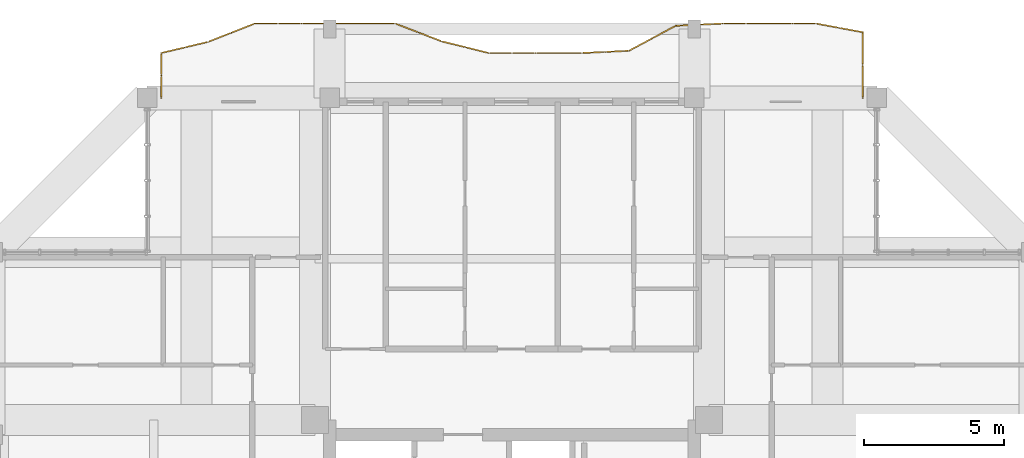
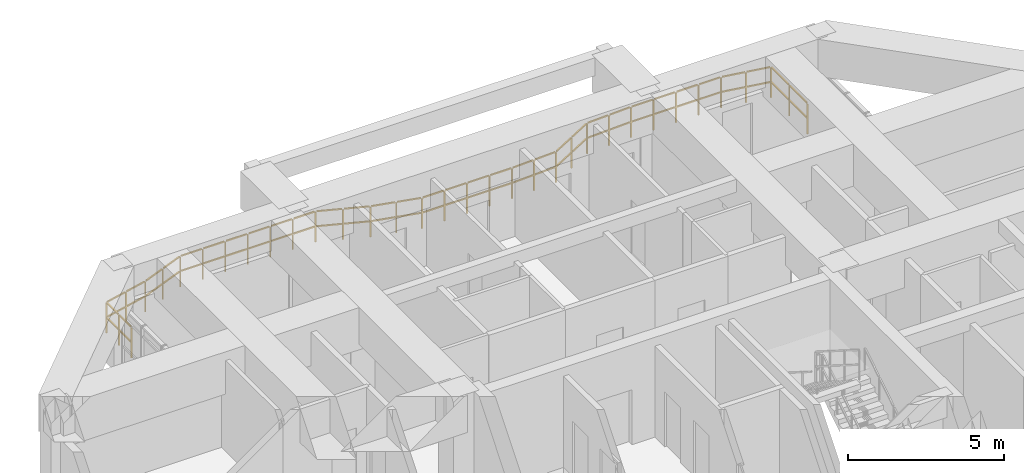
# One storey, part 22 of 22: 1 railing.
"""IFC4 building model written with IfcOpenShell, lengths in metres."""

from ifc_helpers import new_model, si_unit, direction, frame, origin, origin_2d, place, context, subcontext, project, spatial, rectangle, extrude, material, type_object, element, save


model = new_model("IFC4")

# Units and contexts
model_context = context("Model", 3, precision=1e-05, world=origin(), true_north=direction((0.0, 1.0)))
body_context = subcontext(model_context, "Body", "Model", "MODEL_VIEW")
ifc_project = project(units=[si_unit("LENGTHUNIT", "METRE"), si_unit("AREAUNIT", "SQUARE_METRE"), si_unit("VOLUMEUNIT", "CUBIC_METRE"), si_unit("PLANEANGLEUNIT", "RADIAN"), si_unit("MASSUNIT", "GRAM", prefix="KILO")], contexts=[model_context])

# Site, building, storey
site_placement = place(None, origin())
site = spatial("IfcSite", under=ifc_project, at=site_placement, CompositionType="ELEMENT")
building_placement = place(site_placement, origin())
building = spatial("IfcBuilding", under=site, at=building_placement, Name="Saelheon Loggia Tower", CompositionType="ELEMENT")
storey_placement = place(building_placement, frame((0.0, 0.0, 216.300048828125)))
storey = spatial("IfcBuildingStorey", under=building, at=storey_placement, Name="L67", CompositionType="ELEMENT", Elevation=216.300048828125)

# Railing
ifc_material = material(Name="Architectural Precast Concrete and Laminated Glass Guard", Category="concrete")
railing_type = type_object("IfcRailingType", Name="Guard_Loggia_RL_LOG", PredefinedType="BALUSTRADE", material=ifc_material)
railing_placement = place(storey_placement, frame((50.5, 48.0, 0.0)))
element("IfcRailing", 1, at=railing_placement, inside=storey, type_object=railing_type, Name="L67 North Loggia Balustrade", PredefinedType="BALUSTRADE", context=body_context, shape_type="SweptSolid", body=[
    extrude(rectangle(XDim=0.048095703125, YDim=0.048095703125, at=origin_2d()), frame((0.0, 0.033203125, 1.19580078125), z_axis=(0.0, 1.0, 0.0), x_axis=(-1.0, 0.0, 0.0)), (0.0, 0.0, 1.0), 1.103271484375),
    extrude(rectangle(XDim=0.048095703125, YDim=0.048095703125, at=origin_2d()), frame((0.0, 0.033203125, 0.60986328125), z_axis=(0.0, 1.0, 0.0), x_axis=(-1.0, 0.0, 0.0)), (0.0, 0.0, 1.0), 1.103271484375),
    extrude(rectangle(XDim=0.048095703125, YDim=0.048095703125, at=origin_2d()), frame((0.0, 1.203125, 1.19580078125), z_axis=(0.0, 1.0, 0.0), x_axis=(-1.0, 0.0, 0.0)), (0.0, 0.0, 1.0), 1.103271484375),
    extrude(rectangle(XDim=0.048095703125, YDim=0.048095703125, at=origin_2d()), frame((0.0, 1.203125, 0.60986328125), z_axis=(0.0, 1.0, 0.0), x_axis=(-1.0, 0.0, 0.0)), (0.0, 0.0, 1.0), 1.103271484375),
    extrude(rectangle(XDim=0.048095703125, YDim=0.048095703125, at=origin_2d()), frame((-0.03271484375, 2.345703125, 1.19580078125), z_axis=(-0.983107760507, 0.183027678864, 0.0), x_axis=(-0.183027678864, -0.983107760507, 0.0)), (0.0, 0.0, 1.0), 0.78125),
    extrude(rectangle(XDim=0.048095703125, YDim=0.048095703125, at=origin_2d()), frame((-0.03271484375, 2.345703125, 0.60986328125), z_axis=(-0.983107760507, 0.183027678864, 0.0), x_axis=(-0.183027678864, -0.983107760507, 0.0)), (0.0, 0.0, 1.0), 0.78125),
    extrude(rectangle(XDim=0.048095703125, YDim=0.048095703125, at=origin_2d()), frame((-0.865966796875, 2.500732421875, 1.19580078125), z_axis=(-0.983107760507, 0.183027678864, 0.0), x_axis=(-0.183027678864, -0.983107760507, 0.0)), (0.0, 0.0, 1.0), 0.78125),
    extrude(rectangle(XDim=0.048095703125, YDim=0.048095703125, at=origin_2d()), frame((-0.865966796875, 2.500732421875, 0.60986328125), z_axis=(-0.983107760507, 0.183027678864, 0.0), x_axis=(-0.183027678864, -0.983107760507, 0.0)), (0.0, 0.0, 1.0), 0.78125),
    extrude(rectangle(XDim=0.048095703125, YDim=0.048095703125, at=origin_2d()), frame((-1.699951171875, 2.64990234375, 1.19580078125), z_axis=(-1.0, 0.0, 0.0), x_axis=(0.0, -1.0, 0.0)), (0.0, 0.0, 1.0), 0.766845703125),
    extrude(rectangle(XDim=0.048095703125, YDim=0.048095703125, at=origin_2d()), frame((-1.699951171875, 2.64990234375, 0.60986328125), z_axis=(-1.0, 0.0, 0.0), x_axis=(0.0, -1.0, 0.0)), (0.0, 0.0, 1.0), 0.766845703125),
    extrude(rectangle(XDim=0.048095703125, YDim=0.048095703125, at=origin_2d()), frame((-2.533203125, 2.64990234375, 1.19580078125), z_axis=(-1.0, 0.0, 0.0), x_axis=(0.0, -1.0, 0.0)), (0.0, 0.0, 1.0), 0.766845703125),
    extrude(rectangle(XDim=0.048095703125, YDim=0.048095703125, at=origin_2d()), frame((-2.533203125, 2.64990234375, 0.60986328125), z_axis=(-1.0, 0.0, 0.0), x_axis=(0.0, -1.0, 0.0)), (0.0, 0.0, 1.0), 0.766845703125),
    extrude(rectangle(XDim=0.048095703125, YDim=0.048095703125, at=origin_2d()), frame((-3.366455078125, 2.64990234375, 1.19580078125), z_axis=(-1.0, 0.0, 0.0), x_axis=(0.0, -1.0, 0.0)), (0.0, 0.0, 1.0), 0.766845703125),
    extrude(rectangle(XDim=0.048095703125, YDim=0.048095703125, at=origin_2d()), frame((-3.366455078125, 2.64990234375, 0.60986328125), z_axis=(-1.0, 0.0, 0.0), x_axis=(0.0, -1.0, 0.0)), (0.0, 0.0, 1.0), 0.766845703125),
    extrude(rectangle(XDim=0.048095703125, YDim=0.048095703125, at=origin_2d()), frame((-4.199951171875, 2.64990234375, 1.19580078125), z_axis=(-1.0, 0.0, 0.0), x_axis=(0.0, -1.0, 0.0)), (0.0, 0.0, 1.0), 0.766845703125),
    extrude(rectangle(XDim=0.048095703125, YDim=0.048095703125, at=origin_2d()), frame((-4.199951171875, 2.64990234375, 0.60986328125), z_axis=(-1.0, 0.0, 0.0), x_axis=(0.0, -1.0, 0.0)), (0.0, 0.0, 1.0), 0.766845703125),
    extrude(rectangle(XDim=0.048095703125, YDim=0.048095703125, at=origin_2d()), frame((-5.033203125, 2.648193359375, 1.19580078125), z_axis=(-0.998819633443, -0.048573036224, 0.0), x_axis=(0.048573036224, -0.998819633443, 0.0)), (0.0, 0.0, 1.0), 0.767822265625),
    extrude(rectangle(XDim=0.048095703125, YDim=0.048095703125, at=origin_2d()), frame((-5.033203125, 2.648193359375, 0.60986328125), z_axis=(-0.998819633443, -0.048573036224, 0.0), x_axis=(0.048573036224, -0.998819633443, 0.0)), (0.0, 0.0, 1.0), 0.767822265625),
    extrude(rectangle(XDim=0.048095703125, YDim=0.048095703125, at=origin_2d()), frame((-5.866455078125, 2.607666015625, 1.19580078125), z_axis=(-0.998819633443, -0.048573036224, 0.0), x_axis=(0.048573036224, -0.998819633443, 0.0)), (0.0, 0.0, 1.0), 0.767822265625),
    extrude(rectangle(XDim=0.048095703125, YDim=0.048095703125, at=origin_2d()), frame((-5.866455078125, 2.607666015625, 0.60986328125), z_axis=(-0.998819633443, -0.048573036224, 0.0), x_axis=(0.048573036224, -0.998819633443, 0.0)), (0.0, 0.0, 1.0), 0.767822265625),
    extrude(rectangle(XDim=0.048095703125, YDim=0.048095703125, at=origin_2d()), frame((-6.696044921875, 2.55322265625, 1.19580078125), z_axis=(-0.882274214807, -0.47073581751, 0.0), x_axis=(0.47073581751, -0.882274214807, 0.0)), (0.0, 0.0, 1.0), 0.8779296875),
    extrude(rectangle(XDim=0.048095703125, YDim=0.048095703125, at=origin_2d()), frame((-6.696044921875, 2.55322265625, 0.60986328125), z_axis=(-0.882274214807, -0.47073581751, 0.0), x_axis=(0.47073581751, -0.882274214807, 0.0)), (0.0, 0.0, 1.0), 0.8779296875),
    extrude(rectangle(XDim=0.048095703125, YDim=0.048095703125, at=origin_2d()), frame((-7.529296875, 2.108642578125, 1.19580078125), z_axis=(-0.882274214807, -0.47073581751, 0.0), x_axis=(0.47073581751, -0.882274214807, 0.0)), (0.0, 0.0, 1.0), 0.8779296875),
    extrude(rectangle(XDim=0.048095703125, YDim=0.048095703125, at=origin_2d()), frame((-7.529296875, 2.108642578125, 0.60986328125), z_axis=(-0.882274214807, -0.47073581751, 0.0), x_axis=(0.47073581751, -0.882274214807, 0.0)), (0.0, 0.0, 1.0), 0.8779296875),
    extrude(rectangle(XDim=0.048095703125, YDim=0.048095703125, at=origin_2d()), frame((-8.366455078125, 1.67822265625, 1.19580078125), z_axis=(-0.998861839627, -0.04769722568, 0.0), x_axis=(0.04769722568, -0.998861839627, 0.0)), (0.0, 0.0, 1.0), 0.767822265625),
    extrude(rectangle(XDim=0.048095703125, YDim=0.048095703125, at=origin_2d()), frame((-8.366455078125, 1.67822265625, 0.60986328125), z_axis=(-0.998861839627, -0.04769722568, 0.0), x_axis=(0.04769722568, -0.998861839627, 0.0)), (0.0, 0.0, 1.0), 0.767822265625),
    extrude(rectangle(XDim=0.048095703125, YDim=0.048095703125, at=origin_2d()), frame((-9.19970703125, 1.638427734375, 1.19580078125), z_axis=(-0.998861839627, -0.04769722568, 0.0), x_axis=(0.04769722568, -0.998861839627, 0.0)), (0.0, 0.0, 1.0), 0.767822265625),
    extrude(rectangle(XDim=0.048095703125, YDim=0.048095703125, at=origin_2d()), frame((-9.19970703125, 1.638427734375, 0.60986328125), z_axis=(-0.998861839627, -0.04769722568, 0.0), x_axis=(0.04769722568, -0.998861839627, 0.0)), (0.0, 0.0, 1.0), 0.767822265625),
    extrude(rectangle(XDim=0.048095703125, YDim=0.048095703125, at=origin_2d()), frame((-10.033203125, 1.60009765625, 1.19580078125), z_axis=(-1.0, 0.0, 0.0), x_axis=(0.0, -1.0, 0.0)), (0.0, 0.0, 1.0), 0.766845703125),
    extrude(rectangle(XDim=0.048095703125, YDim=0.048095703125, at=origin_2d()), frame((-10.033203125, 1.60009765625, 0.60986328125), z_axis=(-1.0, 0.0, 0.0), x_axis=(0.0, -1.0, 0.0)), (0.0, 0.0, 1.0), 0.766845703125),
    extrude(rectangle(XDim=0.048095703125, YDim=0.048095703125, at=origin_2d()), frame((-10.86669921875, 1.60009765625, 1.19580078125), z_axis=(-1.0, 0.0, 0.0), x_axis=(0.0, -1.0, 0.0)), (0.0, 0.0, 1.0), 0.766845703125),
    extrude(rectangle(XDim=0.048095703125, YDim=0.048095703125, at=origin_2d()), frame((-10.86669921875, 1.60009765625, 0.60986328125), z_axis=(-1.0, 0.0, 0.0), x_axis=(0.0, -1.0, 0.0)), (0.0, 0.0, 1.0), 0.766845703125),
    extrude(rectangle(XDim=0.048095703125, YDim=0.048095703125, at=origin_2d()), frame((-11.699951171875, 1.60009765625, 1.19580078125), z_axis=(-1.0, 0.0, 0.0), x_axis=(0.0, -1.0, 0.0)), (0.0, 0.0, 1.0), 0.766845703125),
    extrude(rectangle(XDim=0.048095703125, YDim=0.048095703125, at=origin_2d()), frame((-11.699951171875, 1.60009765625, 0.60986328125), z_axis=(-1.0, 0.0, 0.0), x_axis=(0.0, -1.0, 0.0)), (0.0, 0.0, 1.0), 0.766845703125),
    extrude(rectangle(XDim=0.048095703125, YDim=0.048095703125, at=origin_2d()), frame((-12.533203125, 1.60009765625, 1.19580078125), z_axis=(-1.0, 0.0, 0.0), x_axis=(0.0, -1.0, 0.0)), (0.0, 0.0, 1.0), 0.766845703125),
    extrude(rectangle(XDim=0.048095703125, YDim=0.048095703125, at=origin_2d()), frame((-12.533203125, 1.60009765625, 0.60986328125), z_axis=(-1.0, 0.0, 0.0), x_axis=(0.0, -1.0, 0.0)), (0.0, 0.0, 1.0), 0.766845703125),
    extrude(rectangle(XDim=0.048095703125, YDim=0.048095703125, at=origin_2d()), frame((-13.365478515625, 1.608154296875, 1.19580078125), z_axis=(-0.970467735246, 0.241230957479, 0.0), x_axis=(-0.241230957479, -0.970467735246, 0.0)), (0.0, 0.0, 1.0), 0.792236328125),
    extrude(rectangle(XDim=0.048095703125, YDim=0.048095703125, at=origin_2d()), frame((-13.365478515625, 1.608154296875, 0.60986328125), z_axis=(-0.970467735246, 0.241230957479, 0.0), x_axis=(-0.241230957479, -0.970467735246, 0.0)), (0.0, 0.0, 1.0), 0.792236328125),
    extrude(rectangle(XDim=0.048095703125, YDim=0.048095703125, at=origin_2d()), frame((-14.198974609375, 1.815185546875, 1.19580078125), z_axis=(-0.970467735246, 0.241230957479, 0.0), x_axis=(-0.241230957479, -0.970467735246, 0.0)), (0.0, 0.0, 1.0), 0.792236328125),
    extrude(rectangle(XDim=0.048095703125, YDim=0.048095703125, at=origin_2d()), frame((-14.198974609375, 1.815185546875, 0.60986328125), z_axis=(-0.970467735246, 0.241230957479, 0.0), x_axis=(-0.241230957479, -0.970467735246, 0.0)), (0.0, 0.0, 1.0), 0.792236328125),
    extrude(rectangle(XDim=0.048095703125, YDim=0.048095703125, at=origin_2d()), frame((-15.031005859375, 2.026123046875, 1.19580078125), z_axis=(-0.934385792277, 0.356262811967, 0.0), x_axis=(-0.356262811967, -0.934385792277, 0.0)), (0.0, 0.0, 1.0), 0.825439453125),
    extrude(rectangle(XDim=0.048095703125, YDim=0.048095703125, at=origin_2d()), frame((-15.031005859375, 2.026123046875, 0.60986328125), z_axis=(-0.934385792277, 0.356262811967, 0.0), x_axis=(-0.356262811967, -0.934385792277, 0.0)), (0.0, 0.0, 1.0), 0.825439453125),
    extrude(rectangle(XDim=0.048095703125, YDim=0.048095703125, at=origin_2d()), frame((-15.864501953125, 2.343994140625, 1.19580078125), z_axis=(-0.934385792277, 0.356262811967, 0.0), x_axis=(-0.356262811967, -0.934385792277, 0.0)), (0.0, 0.0, 1.0), 0.825439453125),
    extrude(rectangle(XDim=0.048095703125, YDim=0.048095703125, at=origin_2d()), frame((-15.864501953125, 2.343994140625, 0.60986328125), z_axis=(-0.934385792277, 0.356262811967, 0.0), x_axis=(-0.356262811967, -0.934385792277, 0.0)), (0.0, 0.0, 1.0), 0.825439453125),
    extrude(rectangle(XDim=0.048095703125, YDim=0.048095703125, at=origin_2d()), frame((-16.699951171875, 2.64990234375, 1.19580078125), z_axis=(-1.0, 0.0, 0.0), x_axis=(0.0, -1.0, 0.0)), (0.0, 0.0, 1.0), 0.766845703125),
    extrude(rectangle(XDim=0.048095703125, YDim=0.048095703125, at=origin_2d()), frame((-16.699951171875, 2.64990234375, 0.60986328125), z_axis=(-1.0, 0.0, 0.0), x_axis=(0.0, -1.0, 0.0)), (0.0, 0.0, 1.0), 0.766845703125),
    extrude(rectangle(XDim=0.048095703125, YDim=0.048095703125, at=origin_2d()), frame((-17.533203125, 2.64990234375, 1.19580078125), z_axis=(-1.0, 0.0, 0.0), x_axis=(0.0, -1.0, 0.0)), (0.0, 0.0, 1.0), 0.766845703125),
    extrude(rectangle(XDim=0.048095703125, YDim=0.048095703125, at=origin_2d()), frame((-17.533203125, 2.64990234375, 0.60986328125), z_axis=(-1.0, 0.0, 0.0), x_axis=(0.0, -1.0, 0.0)), (0.0, 0.0, 1.0), 0.766845703125),
    extrude(rectangle(XDim=0.048095703125, YDim=0.048095703125, at=origin_2d()), frame((-18.366455078125, 2.64990234375, 1.19580078125), z_axis=(-1.0, 0.0, 0.0), x_axis=(0.0, -1.0, 0.0)), (0.0, 0.0, 1.0), 0.766845703125),
    extrude(rectangle(XDim=0.048095703125, YDim=0.048095703125, at=origin_2d()), frame((-18.366455078125, 2.64990234375, 0.60986328125), z_axis=(-1.0, 0.0, 0.0), x_axis=(0.0, -1.0, 0.0)), (0.0, 0.0, 1.0), 0.766845703125),
    extrude(rectangle(XDim=0.048095703125, YDim=0.048095703125, at=origin_2d()), frame((-19.199951171875, 2.64990234375, 1.19580078125), z_axis=(-1.0, 0.0, 0.0), x_axis=(0.0, -1.0, 0.0)), (0.0, 0.0, 1.0), 0.766845703125),
    extrude(rectangle(XDim=0.048095703125, YDim=0.048095703125, at=origin_2d()), frame((-19.199951171875, 2.64990234375, 0.60986328125), z_axis=(-1.0, 0.0, 0.0), x_axis=(0.0, -1.0, 0.0)), (0.0, 0.0, 1.0), 0.766845703125),
    extrude(rectangle(XDim=0.048095703125, YDim=0.048095703125, at=origin_2d()), frame((-20.033203125, 2.64990234375, 1.19580078125), z_axis=(-1.0, 0.0, 0.0), x_axis=(0.0, -1.0, 0.0)), (0.0, 0.0, 1.0), 0.766845703125),
    extrude(rectangle(XDim=0.048095703125, YDim=0.048095703125, at=origin_2d()), frame((-20.033203125, 2.64990234375, 0.60986328125), z_axis=(-1.0, 0.0, 0.0), x_axis=(0.0, -1.0, 0.0)), (0.0, 0.0, 1.0), 0.766845703125),
    extrude(rectangle(XDim=0.048095703125, YDim=0.048095703125, at=origin_2d()), frame((-20.86669921875, 2.64990234375, 1.19580078125), z_axis=(-1.0, 0.0, 0.0), x_axis=(0.0, -1.0, 0.0)), (0.0, 0.0, 1.0), 0.766845703125),
    extrude(rectangle(XDim=0.048095703125, YDim=0.048095703125, at=origin_2d()), frame((-20.86669921875, 2.64990234375, 0.60986328125), z_axis=(-1.0, 0.0, 0.0), x_axis=(0.0, -1.0, 0.0)), (0.0, 0.0, 1.0), 0.766845703125),
    extrude(rectangle(XDim=0.048095703125, YDim=0.048095703125, at=origin_2d()), frame((-21.69775390625, 2.6376953125, 1.19580078125), z_axis=(-0.930966835814, -0.365103753219, 0.0), x_axis=(0.365103753219, -0.930966835814, 0.0)), (0.0, 0.0, 1.0), 0.82861328125),
    extrude(rectangle(XDim=0.048095703125, YDim=0.048095703125, at=origin_2d()), frame((-21.69775390625, 2.6376953125, 0.60986328125), z_axis=(-0.930966835814, -0.365103753219, 0.0), x_axis=(0.365103753219, -0.930966835814, 0.0)), (0.0, 0.0, 1.0), 0.82861328125),
    extrude(rectangle(XDim=0.048095703125, YDim=0.048095703125, at=origin_2d()), frame((-22.531005859375, 2.31103515625, 1.19580078125), z_axis=(-0.930966835814, -0.365103753219, 0.0), x_axis=(0.365103753219, -0.930966835814, 0.0)), (0.0, 0.0, 1.0), 0.82861328125),
    extrude(rectangle(XDim=0.048095703125, YDim=0.048095703125, at=origin_2d()), frame((-22.531005859375, 2.31103515625, 0.60986328125), z_axis=(-0.930966835814, -0.365103753219, 0.0), x_axis=(0.365103753219, -0.930966835814, 0.0)), (0.0, 0.0, 1.0), 0.82861328125),
    extrude(rectangle(XDim=0.048095703125, YDim=0.048095703125, at=origin_2d()), frame((-23.365478515625, 1.98876953125, 1.19580078125), z_axis=(-0.972885666926, -0.23128657352, 0.0), x_axis=(0.23128657352, -0.972885666926, 0.0)), (0.0, 0.0, 1.0), 0.7900390625),
    extrude(rectangle(XDim=0.048095703125, YDim=0.048095703125, at=origin_2d()), frame((-23.365478515625, 1.98876953125, 0.60986328125), z_axis=(-0.972885666926, -0.23128657352, 0.0), x_axis=(0.23128657352, -0.972885666926, 0.0)), (0.0, 0.0, 1.0), 0.7900390625),
    extrude(rectangle(XDim=0.048095703125, YDim=0.048095703125, at=origin_2d()), frame((-24.198974609375, 1.79052734375, 1.19580078125), z_axis=(-0.972885666926, -0.23128657352, 0.0), x_axis=(0.23128657352, -0.972885666926, 0.0)), (0.0, 0.0, 1.0), 0.7900390625),
    extrude(rectangle(XDim=0.048095703125, YDim=0.048095703125, at=origin_2d()), frame((-24.198974609375, 1.79052734375, 0.60986328125), z_axis=(-0.972885666926, -0.23128657352, 0.0), x_axis=(0.23128657352, -0.972885666926, 0.0)), (0.0, 0.0, 1.0), 0.7900390625),
    extrude(rectangle(XDim=0.048095703125, YDim=0.048095703125, at=origin_2d()), frame((-25.0, 1.56689453125, 1.19580078125), z_axis=(0.0, -1.0, 0.0), x_axis=(1.0, 0.0, 0.0)), (0.0, 0.0, 1.0), 0.733642578125),
    extrude(rectangle(XDim=0.048095703125, YDim=0.048095703125, at=origin_2d()), frame((-25.0, 1.56689453125, 0.60986328125), z_axis=(0.0, -1.0, 0.0), x_axis=(1.0, 0.0, 0.0)), (0.0, 0.0, 1.0), 0.733642578125),
    extrude(rectangle(XDim=0.048095703125, YDim=0.048095703125, at=origin_2d()), frame((-25.0, 0.766845703125, 1.19580078125), z_axis=(0.0, -1.0, 0.0), x_axis=(1.0, 0.0, 0.0)), (0.0, 0.0, 1.0), 0.733642578125),
    extrude(rectangle(XDim=0.048095703125, YDim=0.048095703125, at=origin_2d()), frame((-25.0, 0.766845703125, 0.60986328125), z_axis=(0.0, -1.0, 0.0), x_axis=(1.0, 0.0, 0.0)), (0.0, 0.0, 1.0), 0.733642578125),
    extrude(rectangle(XDim=0.0419921875, YDim=0.0419921875, at=origin_2d()), origin(), (0.0, 0.0, 1.0), 1.16796875),
    extrude(rectangle(XDim=0.0419921875, YDim=0.0419921875, at=origin_2d()), frame((0.0, 1.169921875, 0.0)), (0.0, 0.0, 1.0), 1.16796875),
    extrude(rectangle(XDim=0.0419921875, YDim=0.0419921875, at=origin_2d()), frame((0.0, 2.339599609375, 0.0)), (0.0, 0.0, 1.0), 1.16796875),
    extrude(rectangle(XDim=0.0419921875, YDim=0.0419921875, at=origin_2d()), frame((-0.83349609375, 2.49462890625, 0.0)), (0.0, 0.0, 1.0), 1.16796875),
    extrude(rectangle(XDim=0.0419921875, YDim=0.0419921875, at=origin_2d()), frame((-1.666748046875, 2.64990234375, 0.0)), (0.0, 0.0, 1.0), 1.16796875),
    extrude(rectangle(XDim=0.0419921875, YDim=0.0419921875, at=origin_2d()), frame((-2.5, 2.64990234375, 0.0)), (0.0, 0.0, 1.0), 1.16796875),
    extrude(rectangle(XDim=0.0419921875, YDim=0.0419921875, at=origin_2d()), frame((-3.333251953125, 2.64990234375, 0.0)), (0.0, 0.0, 1.0), 1.16796875),
    extrude(rectangle(XDim=0.0419921875, YDim=0.0419921875, at=origin_2d()), frame((-4.16650390625, 2.64990234375, 0.0)), (0.0, 0.0, 1.0), 1.16796875),
    extrude(rectangle(XDim=0.0419921875, YDim=0.0419921875, at=origin_2d()), frame((-5.0, 2.64990234375, 0.0)), (0.0, 0.0, 1.0), 1.16796875),
    extrude(rectangle(XDim=0.0419921875, YDim=0.0419921875, at=origin_2d()), frame((-5.83349609375, 2.609375, 0.0)), (0.0, 0.0, 1.0), 1.16796875),
    extrude(rectangle(XDim=0.0419921875, YDim=0.0419921875, at=origin_2d()), frame((-6.666748046875, 2.56884765625, 0.0)), (0.0, 0.0, 1.0), 1.16796875),
    extrude(rectangle(XDim=0.0419921875, YDim=0.0419921875, at=origin_2d()), frame((-7.5, 2.124267578125, 0.0)), (0.0, 0.0, 1.0), 1.16796875),
    extrude(rectangle(XDim=0.0419921875, YDim=0.0419921875, at=origin_2d()), frame((-8.333251953125, 1.6796875, 0.0)), (0.0, 0.0, 1.0), 1.16796875),
    extrude(rectangle(XDim=0.0419921875, YDim=0.0419921875, at=origin_2d()), frame((-9.16650390625, 1.639892578125, 0.0)), (0.0, 0.0, 1.0), 1.16796875),
    extrude(rectangle(XDim=0.0419921875, YDim=0.0419921875, at=origin_2d()), frame((-10.0, 1.60009765625, 0.0)), (0.0, 0.0, 1.0), 1.16796875),
    extrude(rectangle(XDim=0.0419921875, YDim=0.0419921875, at=origin_2d()), frame((-10.83349609375, 1.60009765625, 0.0)), (0.0, 0.0, 1.0), 1.16796875),
    extrude(rectangle(XDim=0.0419921875, YDim=0.0419921875, at=origin_2d()), frame((-11.666748046875, 1.60009765625, 0.0)), (0.0, 0.0, 1.0), 1.16796875),
    extrude(rectangle(XDim=0.0419921875, YDim=0.0419921875, at=origin_2d()), frame((-12.5, 1.60009765625, 0.0)), (0.0, 0.0, 1.0), 1.16796875),
    extrude(rectangle(XDim=0.0419921875, YDim=0.0419921875, at=origin_2d()), frame((-13.333251953125, 1.60009765625, 0.0)), (0.0, 0.0, 1.0), 1.16796875),
    extrude(rectangle(XDim=0.0419921875, YDim=0.0419921875, at=origin_2d()), frame((-14.16650390625, 1.80712890625, 0.0)), (0.0, 0.0, 1.0), 1.16796875),
    extrude(rectangle(XDim=0.0419921875, YDim=0.0419921875, at=origin_2d()), frame((-15.0, 2.014404296875, 0.0)), (0.0, 0.0, 1.0), 1.16796875),
    extrude(rectangle(XDim=0.0419921875, YDim=0.0419921875, at=origin_2d()), frame((-15.83349609375, 2.33203125, 0.0)), (0.0, 0.0, 1.0), 1.16796875),
    extrude(rectangle(XDim=0.0419921875, YDim=0.0419921875, at=origin_2d()), frame((-16.666748046875, 2.64990234375, 0.0)), (0.0, 0.0, 1.0), 1.16796875),
    extrude(rectangle(XDim=0.0419921875, YDim=0.0419921875, at=origin_2d()), frame((-17.5, 2.64990234375, 0.0)), (0.0, 0.0, 1.0), 1.16796875),
    extrude(rectangle(XDim=0.0419921875, YDim=0.0419921875, at=origin_2d()), frame((-18.333251953125, 2.64990234375, 0.0)), (0.0, 0.0, 1.0), 1.16796875),
    extrude(rectangle(XDim=0.0419921875, YDim=0.0419921875, at=origin_2d()), frame((-19.16650390625, 2.64990234375, 0.0)), (0.0, 0.0, 1.0), 1.16796875),
    extrude(rectangle(XDim=0.0419921875, YDim=0.0419921875, at=origin_2d()), frame((-20.0, 2.64990234375, 0.0)), (0.0, 0.0, 1.0), 1.16796875),
    extrude(rectangle(XDim=0.0419921875, YDim=0.0419921875, at=origin_2d()), frame((-20.83349609375, 2.64990234375, 0.0)), (0.0, 0.0, 1.0), 1.16796875),
    extrude(rectangle(XDim=0.0419921875, YDim=0.0419921875, at=origin_2d()), frame((-21.666748046875, 2.64990234375, 0.0)), (0.0, 0.0, 1.0), 1.16796875),
    extrude(rectangle(XDim=0.0419921875, YDim=0.0419921875, at=origin_2d()), frame((-22.5, 2.3232421875, 0.0)), (0.0, 0.0, 1.0), 1.16796875),
    extrude(rectangle(XDim=0.0419921875, YDim=0.0419921875, at=origin_2d()), frame((-23.333251953125, 1.996337890625, 0.0)), (0.0, 0.0, 1.0), 1.16796875),
    extrude(rectangle(XDim=0.0419921875, YDim=0.0419921875, at=origin_2d()), frame((-24.16650390625, 1.79833984375, 0.0)), (0.0, 0.0, 1.0), 1.16796875),
    extrude(rectangle(XDim=0.0419921875, YDim=0.0419921875, at=origin_2d()), frame((-25.0, 1.60009765625, 0.0)), (0.0, 0.0, 1.0), 1.16796875),
    extrude(rectangle(XDim=0.0419921875, YDim=0.0419921875, at=origin_2d()), frame((-25.0, 0.800048828125, 0.0)), (0.0, 0.0, 1.0), 1.16796875),
    extrude(rectangle(XDim=0.0419921875, YDim=0.0419921875, at=origin_2d()), frame((-25.0, 0.0, 0.0)), (0.0, 0.0, 1.0), 1.16796875),
])

save(model, "model.ifc")
